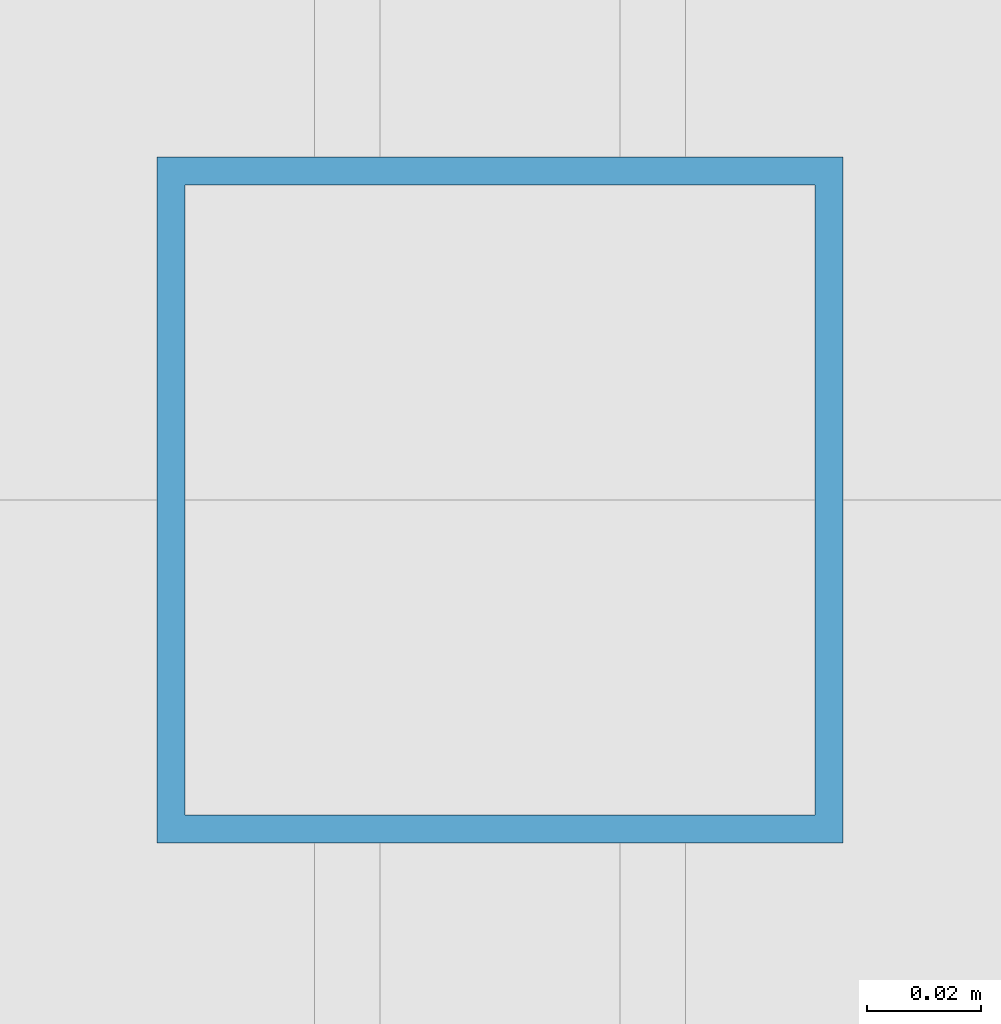
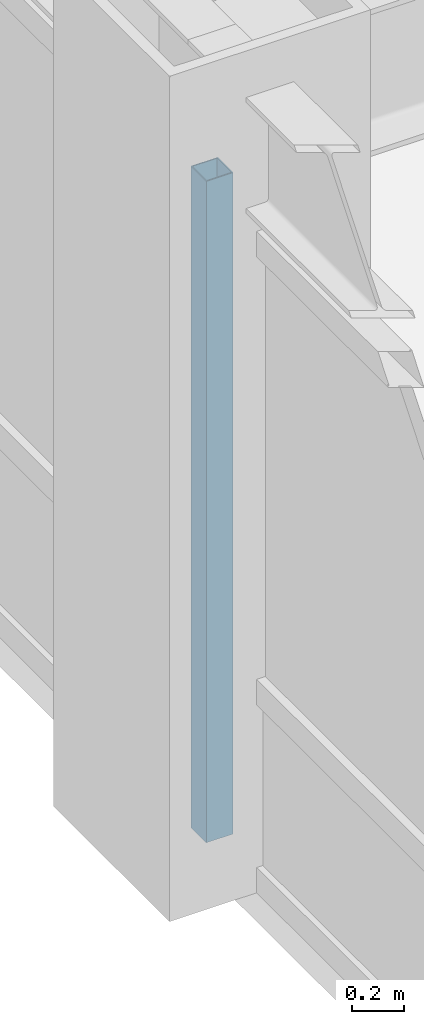
# One storey, part 7 of 32: 1 member, 1 element without a shape of its own.
"""IFC4 building model written with IfcOpenShell, lengths in metres."""

from ifc_helpers import new_model, si_unit, direction, frame, origin, origin_2d, place, context, subcontext, project, spatial, hollow_rectangle, extrude, source, transform, mapped, material, material_profile, profile_set, type_object, element, aggregate, save


model = new_model("IFC4")

# Units and contexts
model_context = context("Model", 3, precision=1e-05, world=origin(), true_north=direction((0.0, 1.0)))
body_context = subcontext(model_context, "Body", "Model", "MODEL_VIEW")
ifc_project = project(units=[si_unit("LENGTHUNIT", "METRE"), si_unit("AREAUNIT", "SQUARE_METRE"), si_unit("VOLUMEUNIT", "CUBIC_METRE"), si_unit("PLANEANGLEUNIT", "RADIAN"), si_unit("MASSUNIT", "GRAM", prefix="KILO")], contexts=[model_context])

# Site, building, storey
site_placement = place(None, origin())
site = spatial("IfcSite", under=ifc_project, at=site_placement, CompositionType="ELEMENT")
building_placement = place(site_placement, origin())
building = spatial("IfcBuilding", under=site, at=building_placement, Name="Khorayat Bourse Tower", CompositionType="ELEMENT")
storey_placement = place(building_placement, frame((0.0, 0.0, 273.5)))
storey = spatial("IfcBuildingStorey", under=building, at=storey_placement, Name="L64", CompositionType="ELEMENT", Elevation=273.5)

# Curtain wall, member
ifc_material = material(Name="Aluminium EN AW-6063 T6", Category="aluminium")
curtain_wall_type = type_object("IfcCurtainWallType", Name="CW-SYS-04", PredefinedType="NOTDEFINED", material=ifc_material)
curtain_wall_placement = place(storey_placement, origin())
curtain_wall = element("IfcCurtainWall", 1, at=curtain_wall_placement, inside=storey, type_object=curtain_wall_type, Name="L64 Curtain Wall CW-L64-W1", PredefinedType="NOTDEFINED")
ifc_material_profile = material_profile(ifc_material, hollow_rectangle(XDim=0.1201171875, YDim=0.1201171875, WallThickness=0.0048828125, at=origin_2d()), Name="ALU 120x120x5")
ifc_profile_set = profile_set([ifc_material_profile], Name="Aluminium EN AW-6063 T6")
member_type = type_object("IfcMemberType", Name="CWM-VERT-120", PredefinedType="MULLION", material=ifc_profile_set)
shared_shape = source(origin(), body_context, "Body", "SweptSolid", [
    extrude(hollow_rectangle(XDim=0.1201171875, YDim=0.1201171875, WallThickness=0.0048828125, at=origin_2d()), origin(), (0.0, 0.0, 1.0), 3.1298828125),
])
member_placement = place(storey_placement, frame((-28.0, 0.0, 0.0), z_axis=(0.0, 0.0, 1.0), x_axis=(-1.0, 0.0, 0.0)))
member = element("IfcMember", 2, at=member_placement, type_object=member_type, Name="CW-L64-W1 Vertical Mullion 2", PredefinedType="MULLION", context=body_context, shape_type="MappedRepresentation", body=[
    mapped(shared_shape, transform((0.0, 0.0, 0.0), scale=1.0)),
])
aggregate(curtain_wall, [member])

save(model, "model.ifc")
